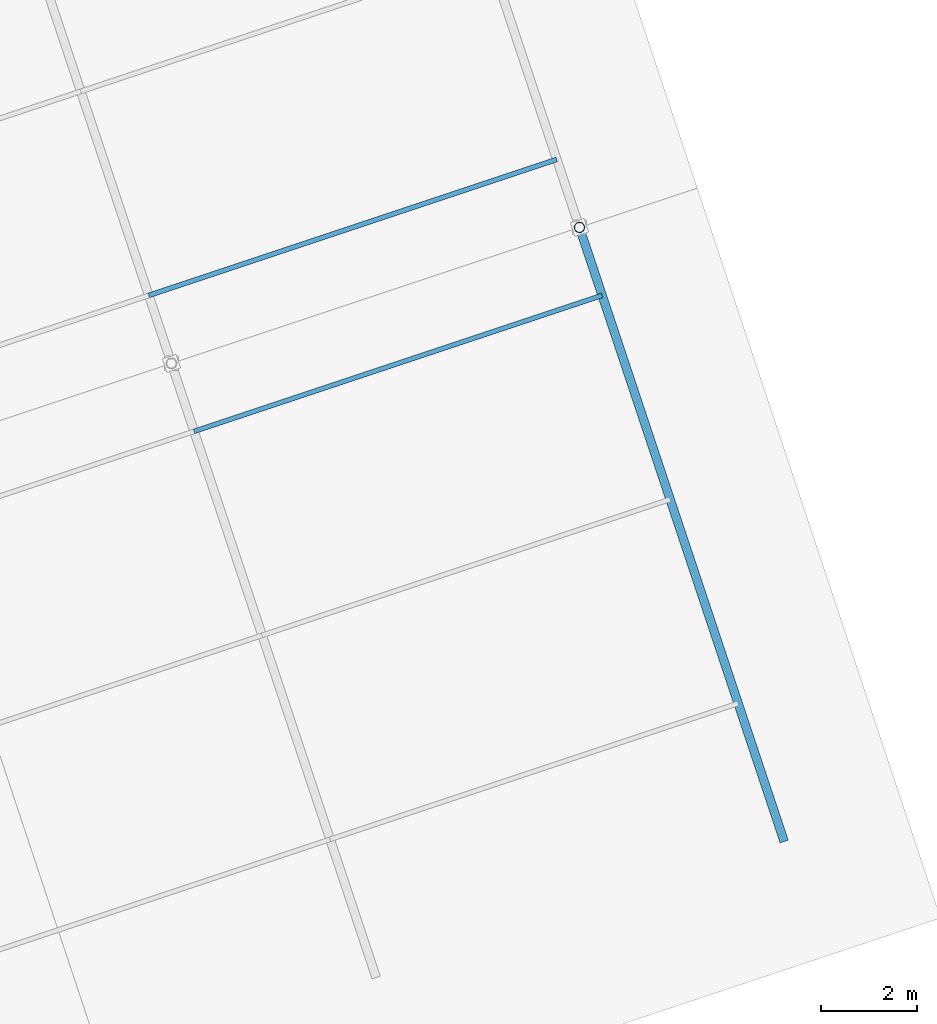
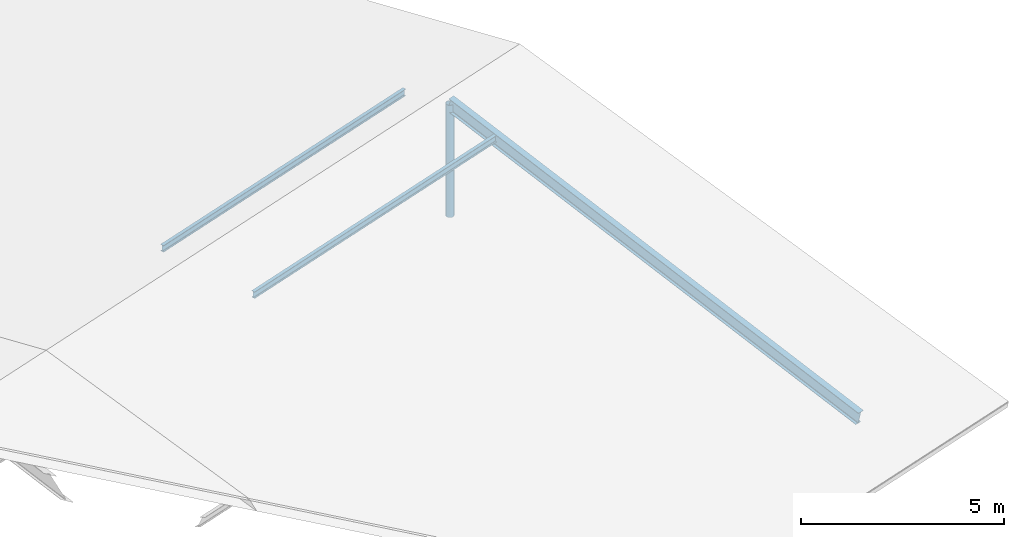
# One storey, part 30 of 107: 4 members.
"""IFC4 building model written with IfcOpenShell, lengths in metres."""

from ifc_helpers import new_model, si_unit, derived_unit, direction, frame, origin, origin_2d, place, context, subcontext, project, spatial, hollow_circle, i_section, extrude, material, material_profile, profile_set, type_object, element, save


model = new_model("IFC4")

# Units and contexts
model_context = context("Model", 3, precision=1e-05, world=origin(), true_north=direction((0.0, 1.0)))
body_context = subcontext(model_context, "Body", "Model", "MODEL_VIEW")
ifc_project = project(units=[si_unit("LENGTHUNIT", "METRE"), si_unit("AREAUNIT", "SQUARE_METRE"), si_unit("VOLUMEUNIT", "CUBIC_METRE"), si_unit("PLANEANGLEUNIT", "RADIAN"), si_unit("MASSUNIT", "GRAM", prefix="KILO"), si_unit("THERMODYNAMICTEMPERATUREUNIT", "KELVIN"), si_unit("TIMEUNIT", "SECOND"), derived_unit("THERMALTRANSMITTANCEUNIT", [(si_unit("MASSUNIT", "GRAM", prefix="KILO"), 1), (si_unit("THERMODYNAMICTEMPERATUREUNIT", "KELVIN"), -1), (si_unit("TIMEUNIT", "SECOND"), -3)])], contexts=[model_context])

# Site, building, storey
site_placement = place(None, origin())
site = spatial("IfcSite", under=ifc_project, at=site_placement, CompositionType="ELEMENT")
building_placement = place(site_placement, origin())
building = spatial("IfcBuilding", under=site, at=building_placement, Name="Cambertide Market Hall", CompositionType="ELEMENT")
storey_placement = place(building_placement, frame((0.0, 0.0, 18.300048828125)))
storey = spatial("IfcBuildingStorey", under=building, at=storey_placement, Name="RF", CompositionType="ELEMENT", Elevation=18.300048828125)

# Members
ifc_material_1 = material(Name="Steel S355", Category="steel")
ifc_material_profile_1 = material_profile(ifc_material_1, i_section(OverallWidth=0.179931640625, OverallDepth=0.39990234375, WebThickness=0.008544921875, FlangeThickness=0.013427734375, FilletRadius=0.02099609375, at=origin_2d()), Name="IPE 400")
ifc_profile_set_1 = profile_set([ifc_material_profile_1], Name="Steel S355")
member_type_1 = type_object("IfcMemberType", Name="Radial Fan Rafter IPE 400", PredefinedType="RAFTER", material=ifc_profile_set_1)
member_1_placement = place(storey_placement, frame((148.690673828125, 26.230224609375, -4.400146484375), z_axis=(-0.307722895313, 0.923168685938, 0.230361014505), x_axis=(-0.948683298051, -0.316227766017, 0.0)))
element("IfcMember", 1, at=member_1_placement, inside=storey, type_object=member_type_1, Name="RAF-V3S-6", PredefinedType="RAFTER", context=body_context, shape_type="SweptSolid", body=[
    extrude(i_section(OverallWidth=0.179931640625, OverallDepth=0.39990234375, WebThickness=0.008544921875, FlangeThickness=0.013427734375, FilletRadius=0.02099609375, at=origin_2d()), origin(), (0.0, 0.0, 1.0), 13.873046875),
])
ifc_material_2 = material(Name="Steel S275", Category="steel")
ifc_material_profile_2 = material_profile(ifc_material_2, i_section(OverallWidth=0.10009765625, OverallDepth=0.199951171875, WebThickness=0.005615234375, FlangeThickness=0.008544921875, FilletRadius=0.011962890625, at=origin_2d()), Name="IPE 200")
ifc_profile_set_2 = profile_set([ifc_material_profile_2], Name="Steel S275")
member_type_2 = type_object("IfcMemberType", Name="Roof Purlin IPE 200", PredefinedType="PURLIN", material=ifc_profile_set_2)
for number, where, z_axis, x_axis, name in (
    (2, (136.35791015625, 34.768310546875, -1.5595703125), (0.948677872554, 0.31624404204, 0.0), (-0.31624404204, 0.948677872554, 0.0), "PUR-V3-5-12"),
    (3, (135.4091796875, 37.614501953125, -1.5595703125), (0.948686010717, 0.3162196279, 0.0), (-0.3162196279, 0.948686010717, 0.0), "PUR-V3-5-15"),
):
    element("IfcMember", number, at=place(storey_placement, frame(where, z_axis=z_axis, x_axis=x_axis)), inside=storey, type_object=member_type_2, Name=name, PredefinedType="PURLIN", context=body_context, shape_type="SweptSolid", body=[
        extrude(i_section(OverallWidth=0.10009765625, OverallDepth=0.199951171875, WebThickness=0.005615234375, FlangeThickness=0.008544921875, FilletRadius=0.011962890625, at=origin_2d()), origin(), (0.0, 0.0, 1.0), 9.0),
    ])
ifc_material_3 = material(Name="Steel S355", Category="steel")
ifc_material_profile_3 = material_profile(ifc_material_3, hollow_circle(Radius=0.109619140625, WallThickness=0.008056640625, at=origin_2d()), Name="CHS 219.1x8")
ifc_profile_set_3 = profile_set([ifc_material_profile_3], Name="Steel S355")
member_type_3 = type_object("IfcMemberType", Name="Structural Brace CHS 219.1x8", PredefinedType="BRACE", material=ifc_profile_set_3)
member_2_placement = place(storey_placement, frame((144.421630859375, 39.037353515625, -4.580078125), z_axis=(0.0, 0.0, 1.0), x_axis=(1.0, 0.0, 0.0)))
element("IfcMember", 4, at=member_2_placement, inside=storey, type_object=member_type_3, Name="KP-V3-6", PredefinedType="BRACE", context=body_context, shape_type="SweptSolid", body=[
    extrude(hollow_circle(Radius=0.109619140625, WallThickness=0.008056640625, at=origin_2d()), origin(), (0.0, 0.0, 1.0), 3.375732421875),
])

save(model, "model.ifc")
